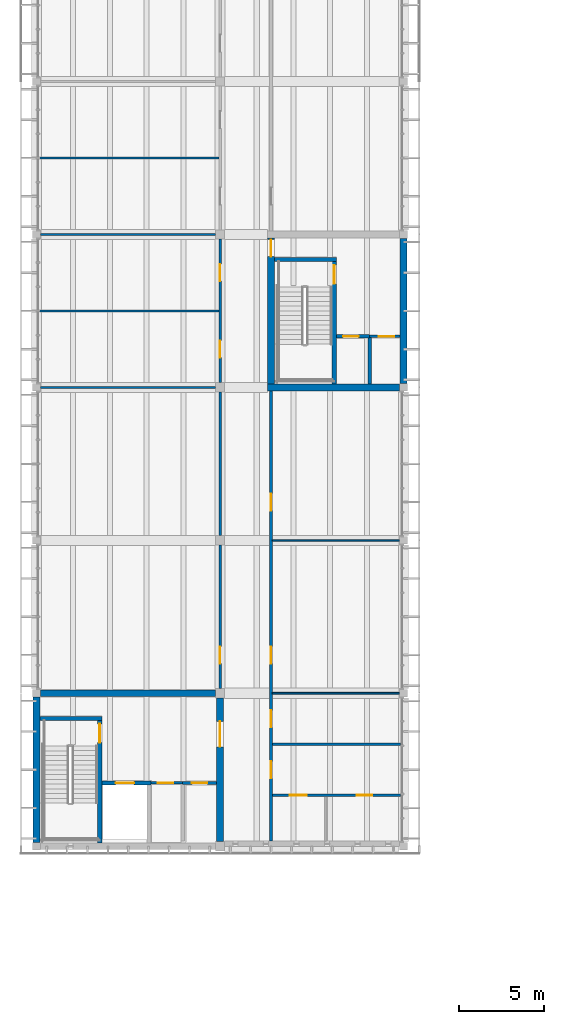
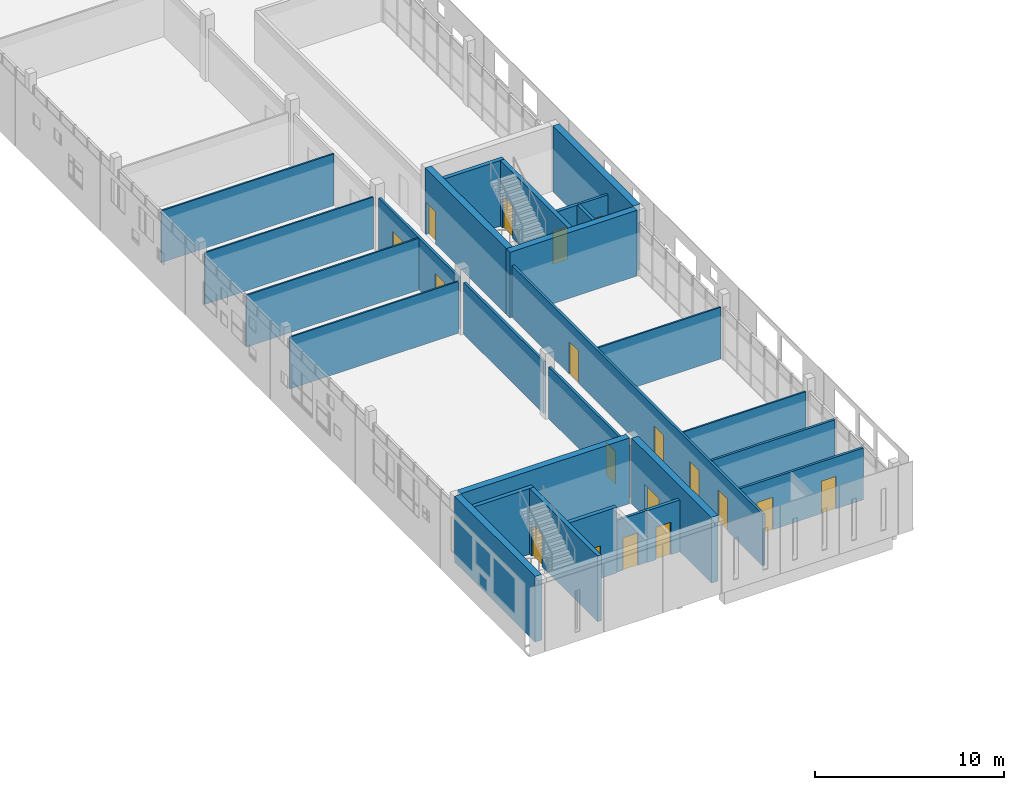
# One storey, part 32 of 50: 28 walls, 18 doors, 18 openings.
"""IFC4 building model written with IfcOpenShell, lengths in metres."""

import ifcopenshell
import ifcopenshell.guid

model = None  # the IFC model being written
_history = None  # IfcOwnerHistory: only IFC2X3 demands one
_inside = {}  # id of a spatial element -> (the spatial element, [elements in it])
_under = {}  # id of a project, library or spatial element -> (it, [spatial elements below it])
_declared = {}  # id of a project -> (the project, [libraries it declares])
_typed = {}  # id of a type object -> (the type object, [elements of that type])
_made_of = {}  # id of a material, layer set ... -> (it, [elements and type objects made of it])


def new_model(schema):
    """Start an empty IFC model of exactly this schema.

    Asked for "IFC4X3", IfcOpenShell would pick the latest addendum, in which some entities
    have other attributes; the version numbers below select the first issue.
    IFC2X3 requires an IfcOwnerHistory on every rooted entity: one is made here for all.
    """
    global model, _history
    if schema == "IFC4X3":
        model = ifcopenshell.file(schema_version=(4, 3, 0, 0))
    else:
        model = ifcopenshell.file(schema=schema)
    _inside.clear()
    _under.clear()
    _declared.clear()
    _typed.clear()
    _made_of.clear()
    _history = None
    if model.schema == "IFC2X3":
        org = make("IfcOrganization", Name="unknown")
        user = make(
            "IfcPersonAndOrganization",
            ThePerson=make("IfcPerson", FamilyName="unknown"),
            TheOrganization=org,
        )
        app = make(
            "IfcApplication",
            ApplicationDeveloper=org,
            Version="unknown",
            ApplicationFullName="unknown",
            ApplicationIdentifier="unknown",
        )
        _history = make(
            "IfcOwnerHistory",
            OwningUser=user,
            OwningApplication=app,
            ChangeAction="ADDED",
            CreationDate=0,
        )
    return model


def make(cls, **values):
    """One entity of the class cls with the attributes given. An attribute that is None is left unset."""
    return model.create_entity(
        cls, **{name: value for name, value in values.items() if value is not None}
    )


def rooted(cls, **values):
    """An entity with a GlobalId (a new one), such as an element, a storey or a relation."""
    return make(cls, GlobalId=ifcopenshell.guid.new(), OwnerHistory=_history, **values)


def si_unit(unit_type, name, prefix=None):
    """IfcSIUnit, for example si_unit("LENGTHUNIT", "METRE", prefix="MILLI")."""
    return make("IfcSIUnit", UnitType=unit_type, Prefix=prefix, Name=name)


def assignment(units):
    """IfcUnitAssignment: the units of a project."""
    return None if units is None else make("IfcUnitAssignment", Units=units)


def point(xyz):
    """IfcCartesianPoint."""
    return None if xyz is None else make("IfcCartesianPoint", Coordinates=xyz)


def direction(xyz):
    """IfcDirection."""
    return None if xyz is None else make("IfcDirection", DirectionRatios=xyz)


def frame(location, z_axis=None, x_axis=None):
    """IfcAxis2Placement3D, a coordinate frame: its origin and axes. An axis left out is left unset."""
    return make(
        "IfcAxis2Placement3D",
        Location=point(location),
        Axis=direction(z_axis),
        RefDirection=direction(x_axis),
    )


def frame_2d(location, x_axis=None):
    """IfcAxis2Placement2D, a coordinate frame in the plane: its origin and x axis."""
    return make(
        "IfcAxis2Placement2D", Location=point(location), RefDirection=direction(x_axis)
    )


def origin():
    """The frame at (0, 0, 0) with its axes left unset."""
    return frame((0.0, 0.0, 0.0))


def place(relative_to, where):
    """IfcLocalPlacement: puts the frame where relative to a parent placement (None: the world)."""
    return make(
        "IfcLocalPlacement", PlacementRelTo=relative_to, RelativePlacement=where
    )


def context(
    kind, dimensions, precision=None, world=None, true_north=None, identifier=None
):
    """IfcGeometricRepresentationContext, for example the 3D "Model" context."""
    return make(
        "IfcGeometricRepresentationContext",
        ContextIdentifier=identifier,
        ContextType=kind,
        CoordinateSpaceDimension=dimensions,
        Precision=precision,
        WorldCoordinateSystem=world,
        TrueNorth=true_north,
    )


def subcontext(parent, identifier, kind, view, scale=None):
    """IfcGeometricRepresentationSubContext, for example "Body" below "Model"."""
    return make(
        "IfcGeometricRepresentationSubContext",
        ContextIdentifier=identifier,
        ContextType=kind,
        ParentContext=parent,
        TargetScale=scale,
        TargetView=view,
    )


def project(units=None, contexts=None):
    """IfcProject with its units and contexts."""
    return rooted(
        "IfcProject",
        Name="project",
        RepresentationContexts=contexts,
        UnitsInContext=assignment(units),
    )


def spatial(cls, under=None, at=None, **own):
    """A site, building, storey or space (cls), placed at a placement, below another one or the project."""
    s = rooted(cls, ObjectPlacement=at, **own)
    if under is not None:
        _under.setdefault(under.id(), (under, []))[1].append(s)
    return s


def profile(cls, at=None, kind="AREA", **sizes):
    """A parametric profile (cls). Its sizes go by their IFC names, for example OverallWidth=200.0."""
    return make(cls, ProfileType=kind, Position=at, **sizes)


def rectangle(**sizes):
    """IfcRectangleProfileDef."""
    return profile("IfcRectangleProfileDef", **sizes)


def extrude(swept, where, along, depth):
    """IfcExtrudedAreaSolid: the profile swept, set in the frame where, extruded along a direction by depth."""
    return make(
        "IfcExtrudedAreaSolid",
        SweptArea=swept,
        Position=where,
        ExtrudedDirection=direction(along),
        Depth=depth,
    )


def shape(context_of_items, identifier, shape_type, items):
    """IfcShapeRepresentation: the items that make up one representation, for example the "Body"."""
    return make(
        "IfcShapeRepresentation",
        ContextOfItems=context_of_items,
        RepresentationIdentifier=identifier,
        RepresentationType=shape_type,
        Items=items,
    )


def material(Name=None, Category=None):
    """IfcMaterial."""
    return make("IfcMaterial", Name=Name, Category=Category)


def layer(
    of_material, thickness, ventilated=None, Name=None, Category=None, Priority=None
):
    """IfcMaterialLayer: one layer of a wall or slab, of a material (None: an air gap)."""
    return make(
        "IfcMaterialLayer",
        Material=of_material,
        LayerThickness=thickness,
        IsVentilated=ventilated,
        Name=Name,
        Category=Category,
        Priority=Priority,
    )


def layer_set(layers, Name=None):
    """IfcMaterialLayerSet."""
    return make("IfcMaterialLayerSet", MaterialLayers=layers, LayerSetName=Name)


def made_of(thing, what):
    """Note that an element or type object is made of a material, layer set ...; save() writes the relation."""
    if what is not None:
        _made_of.setdefault(what.id(), (what, []))[1].append(thing)
    return thing


def type_object(cls, material=None, **own):
    """A type object (cls), such as IfcWallType, which elements share."""
    return made_of(rooted(cls, **own), material)


def element(
    cls,
    number,
    at=None,
    inside=None,
    cuts=None,
    type_object=None,
    material=None,
    context=None,
    identifier="Body",
    shape_type=None,
    held_by="IfcProductDefinitionShape",
    body=None,
    shapes=None,
    **own,
):
    """One element of the class cls, such as IfcWall. Its Tag is "e" and its number.

    at: its placement. inside: the storey or other place that contains it. cuts: it is an
    opening in that element (IfcRelVoidsElement). A single representation is given by context,
    identifier, shape_type and body (its items); several are given by shapes. held_by: the class
    of the entity that holds the representations. save() writes the other relations.
    """
    e = rooted(cls, Tag="e%d" % number, ObjectPlacement=at, **own)
    if body is not None:
        shapes = [shape(context, identifier, shape_type, body)]
    if shapes is not None:
        e.Representation = make(held_by, Representations=shapes)
    if inside is not None:
        _inside.setdefault(inside.id(), (inside, []))[1].append(e)
    if cuts is not None:
        rooted(
            "IfcRelVoidsElement", RelatingBuildingElement=cuts, RelatedOpeningElement=e
        )
    if type_object is not None:
        _typed.setdefault(type_object.id(), (type_object, []))[1].append(e)
    return made_of(e, material)


def fill(opening, filler):
    """IfcRelFillsElement: the door or window that sits in an opening."""
    return rooted(
        "IfcRelFillsElement",
        RelatingOpeningElement=opening,
        RelatedBuildingElement=filler,
    )


def aggregate(whole, parts):
    """IfcRelAggregates: a whole, such as a stair, and the parts it consists of."""
    return rooted("IfcRelAggregates", RelatingObject=whole, RelatedObjects=parts)


def save(model, path):
    """Write the relations noted so far, then the file.

    IfcRelAggregates (storeys below a building ...), IfcRelContainedInSpatialStructure (elements
    in a storey), IfcRelDefinesByType, IfcRelAssociatesMaterial and IfcRelDeclares: one each for
    every whole, place, type object, material and project.
    """
    for whole, parts in _under.values():
        aggregate(whole, parts)
    for where, things in _inside.values():
        rooted(
            "IfcRelContainedInSpatialStructure",
            RelatedElements=things,
            RelatingStructure=where,
        )
    for kind, things in _typed.values():
        rooted("IfcRelDefinesByType", RelatedObjects=things, RelatingType=kind)
    for what, things in _made_of.values():
        rooted("IfcRelAssociatesMaterial", RelatedObjects=things, RelatingMaterial=what)
    for by, libraries in _declared.values():
        rooted("IfcRelDeclares", RelatingContext=by, RelatedDefinitions=libraries)
    model.write(path)


model = new_model("IFC4")

# Units and contexts
model_context = context("Model", 3, precision=1e-05, world=origin(), true_north=direction((0.0, 1.0)))
body_context = subcontext(model_context, "Body", "Model", "MODEL_VIEW")
ifc_project = project(units=[si_unit("LENGTHUNIT", "METRE"), si_unit("AREAUNIT", "SQUARE_METRE"), si_unit("VOLUMEUNIT", "CUBIC_METRE"), si_unit("PLANEANGLEUNIT", "RADIAN"), si_unit("MASSUNIT", "GRAM", prefix="KILO")], contexts=[model_context])

# Site, building, storey
site_placement = place(None, origin())
site = spatial("IfcSite", under=ifc_project, at=site_placement, CompositionType="ELEMENT")
building_placement = place(site_placement, origin())
building = spatial("IfcBuilding", under=site, at=building_placement, Name="Merrow Basin Faculty of Sciences", CompositionType="ELEMENT")
storey_placement = place(building_placement, frame((0.0, 0.0, 18.0)))
storey = spatial("IfcBuildingStorey", under=building, at=storey_placement, Name="L04", CompositionType="ELEMENT", Elevation=18.0)

# Wall, opening, door
ifc_material_1 = material(Name="Fire-rated gypsum board")
ifc_layer_1 = layer(ifc_material_1, 0.14990234375)
ifc_layer_set_1 = layer_set([ifc_layer_1], Name="Corridor partition 150 fire-rated board on steel studs")
wall_type_1 = type_object("IfcWallType", Name="Corridor partition 150 fire-rated board on steel studs", PredefinedType="PARTITIONING", material=ifc_layer_set_1)
wall_1_placement = place(storey_placement, frame((10.800048828125, 70.27490234375, 0.0), z_axis=(0.0, 0.0, 1.0), x_axis=(0.0, 1.0, 0.0)))
wall_1 = element("IfcWall", 1, at=wall_1_placement, inside=storey, type_object=wall_type_1, Name="IW151 L04 008", PredefinedType="PARTITIONING", context=body_context, shape_type="SweptSolid", body=[
    extrude(rectangle(XDim=8.4501953125, YDim=0.14990234375, at=frame_2d((4.22509765625, 0.0))), origin(), (0.0, 0.0, 1.0), 3.35009765625),
])
opening_1_placement = place(wall_1_placement, frame((1.47509765625, 0.0, 0.0)))
opening_1 = element("IfcOpeningElement", 2, at=opening_1_placement, cuts=wall_1, Name="Opening D04B015", PredefinedType="OPENING", context=body_context, shape_type="SweptSolid", body=[
    extrude(rectangle(XDim=1.0, YDim=2.10009765625, at=frame_2d((0.5, 1.050048828125))), frame((0.0, 0.0849609375, 0.0), z_axis=(0.0, -1.0, 0.0), x_axis=(1.0, 0.0, 0.0)), (0.0, 0.0, 1.0), 0.169921875),
])
ifc_material_2 = material(Name="Timber door leaf", Category="wood")
door_type_1 = type_object("IfcDoorType", Name="Single swing door 1000 x 2100", OperationType="NOTDEFINED", PredefinedType="DOOR", material=ifc_material_2)
door_1_placement = place(opening_1_placement, origin())
door_1 = element("IfcDoor", 3, at=door_1_placement, inside=storey, type_object=door_type_1, Name="Door D04B015", OperationType="SINGLE_SWING_LEFT", OverallHeight=2.10009765625, OverallWidth=1.0, PredefinedType="DOOR", context=body_context, shape_type="SweptSolid", body=[
    extrude(rectangle(XDim=1.0, YDim=2.10009765625, at=frame_2d((0.5, 1.050048828125))), frame((0.0, 0.02490234375, 0.0), z_axis=(0.0, -1.0, 0.0), x_axis=(1.0, 0.0, 0.0)), (0.0, 0.0, 1.0), 0.050048828125),
])
fill(opening_1, door_1)

# Wall
wall_2_placement = place(storey_placement, frame((10.800048828125, 79.27490234375, 0.0), z_axis=(0.0, 0.0, 1.0), x_axis=(0.0, 1.0, 0.0)))
element("IfcWall", 4, at=wall_2_placement, inside=storey, type_object=wall_type_1, Name="IW151 L04 009", PredefinedType="PARTITIONING", context=body_context, shape_type="SweptSolid", body=[
    extrude(rectangle(XDim=8.4501953125, YDim=0.14990234375, at=frame_2d((4.22509765625, 0.0))), origin(), (0.0, 0.0, 1.0), 3.35009765625),
])

# Wall, openings, doors
wall_3_placement = place(storey_placement, frame((10.800048828125, 88.27490234375, 0.0), z_axis=(0.0, 0.0, 1.0), x_axis=(0.0, 1.0, 0.0)))
wall_3 = element("IfcWall", 5, at=wall_3_placement, inside=storey, type_object=wall_type_1, Name="IW151 L04 010", PredefinedType="PARTITIONING", context=body_context, shape_type="SweptSolid", body=[
    extrude(rectangle(XDim=8.4501953125, YDim=0.14990234375, at=frame_2d((4.22509765625, 0.0))), origin(), (0.0, 0.0, 1.0), 3.35009765625),
])
opening_2_placement = place(wall_3_placement, frame((1.47509765625, 0.0, 0.0)))
opening_2 = element("IfcOpeningElement", 6, at=opening_2_placement, cuts=wall_3, Name="Opening D04B016", PredefinedType="OPENING", context=body_context, shape_type="SweptSolid", body=[
    extrude(rectangle(XDim=1.0, YDim=2.10009765625, at=frame_2d((0.5, 1.050048828125))), frame((0.0, 0.0849609375, 0.0), z_axis=(0.0, -1.0, 0.0), x_axis=(1.0, 0.0, 0.0)), (0.0, 0.0, 1.0), 0.169921875),
])
opening_3_placement = place(wall_3_placement, frame((5.97509765625, 0.0, 0.0)))
opening_3 = element("IfcOpeningElement", 7, at=opening_3_placement, cuts=wall_3, Name="Opening D04B017", PredefinedType="OPENING", context=body_context, shape_type="SweptSolid", body=[
    extrude(rectangle(XDim=1.0, YDim=2.10009765625, at=frame_2d((0.5, 1.050048828125))), frame((0.0, 0.0849609375, 0.0), z_axis=(0.0, -1.0, 0.0), x_axis=(1.0, 0.0, 0.0)), (0.0, 0.0, 1.0), 0.169921875),
])
door_2_placement = place(opening_2_placement, origin())
door_2 = element("IfcDoor", 8, at=door_2_placement, inside=storey, type_object=door_type_1, Name="Door D04B016", OperationType="SINGLE_SWING_LEFT", OverallHeight=2.10009765625, OverallWidth=1.0, PredefinedType="DOOR", context=body_context, shape_type="SweptSolid", body=[
    extrude(rectangle(XDim=1.0, YDim=2.10009765625, at=frame_2d((0.5, 1.050048828125))), frame((0.0, 0.02490234375, 0.0), z_axis=(0.0, -1.0, 0.0), x_axis=(1.0, 0.0, 0.0)), (0.0, 0.0, 1.0), 0.050048828125),
])
fill(opening_2, door_2)
door_3_placement = place(opening_3_placement, origin())
door_3 = element("IfcDoor", 9, at=door_3_placement, inside=storey, type_object=door_type_1, Name="Door D04B017", OperationType="SINGLE_SWING_LEFT", OverallHeight=2.10009765625, OverallWidth=1.0, PredefinedType="DOOR", context=body_context, shape_type="SweptSolid", body=[
    extrude(rectangle(XDim=1.0, YDim=2.10009765625, at=frame_2d((0.5, 1.050048828125))), frame((0.0, 0.02490234375, 0.0), z_axis=(0.0, -1.0, 0.0), x_axis=(1.0, 0.0, 0.0)), (0.0, 0.0, 1.0), 0.050048828125),
])
fill(opening_3, door_3)

wall_4_placement = place(storey_placement, frame((13.800048828125, 61.300048828125, 0.0), z_axis=(0.0, 0.0, 1.0), x_axis=(0.0, 1.0, 0.0)))
wall_4 = element("IfcWall", 10, at=wall_4_placement, inside=storey, type_object=wall_type_1, Name="IW151 L04 014", PredefinedType="PARTITIONING", context=body_context, shape_type="SweptSolid", body=[
    extrude(rectangle(XDim=26.5, YDim=0.14990234375, at=frame_2d((13.25, 0.0))), origin(), (0.0, 0.0, 1.0), 3.35009765625),
])
opening_4_placement = place(wall_4_placement, frame((3.699951171875, 0.0, 0.0)))
opening_4 = element("IfcOpeningElement", 11, at=opening_4_placement, cuts=wall_4, Name="Opening D04B014", PredefinedType="OPENING", context=body_context, shape_type="SweptSolid", body=[
    extrude(rectangle(XDim=1.0, YDim=2.10009765625, at=frame_2d((0.5, 1.050048828125))), frame((0.0, 0.0849609375, 0.0), z_axis=(0.0, -1.0, 0.0), x_axis=(1.0, 0.0, 0.0)), (0.0, 0.0, 1.0), 0.169921875),
])
opening_5_placement = place(wall_4_placement, frame((10.449951171875, 0.0, 0.0)))
opening_5 = element("IfcOpeningElement", 12, at=opening_5_placement, cuts=wall_4, Name="Opening D04B022", PredefinedType="OPENING", context=body_context, shape_type="SweptSolid", body=[
    extrude(rectangle(XDim=1.0, YDim=2.10009765625, at=frame_2d((0.5, 1.050048828125))), frame((0.0, 0.0849609375, 0.0), z_axis=(0.0, -1.0, 0.0), x_axis=(1.0, 0.0, 0.0)), (0.0, 0.0, 1.0), 0.169921875),
])
opening_6_placement = place(wall_4_placement, frame((19.449951171875, 0.0, 0.0)))
opening_6 = element("IfcOpeningElement", 13, at=opening_6_placement, cuts=wall_4, Name="Opening D04B023", PredefinedType="OPENING", context=body_context, shape_type="SweptSolid", body=[
    extrude(rectangle(XDim=1.0, YDim=2.10009765625, at=frame_2d((0.5, 1.050048828125))), frame((0.0, 0.0849609375, 0.0), z_axis=(0.0, -1.0, 0.0), x_axis=(1.0, 0.0, 0.0)), (0.0, 0.0, 1.0), 0.169921875),
])
opening_7_placement = place(wall_4_placement, frame((6.699951171875, 0.0, 0.0)))
opening_7 = element("IfcOpeningElement", 14, at=opening_7_placement, cuts=wall_4, Name="Opening D04B025", PredefinedType="OPENING", context=body_context, shape_type="SweptSolid", body=[
    extrude(rectangle(XDim=1.0, YDim=2.10009765625, at=frame_2d((0.5, 1.050048828125))), frame((0.0, 0.0849609375, 0.0), z_axis=(0.0, -1.0, 0.0), x_axis=(1.0, 0.0, 0.0)), (0.0, 0.0, 1.0), 0.169921875),
])
door_4_placement = place(opening_4_placement, origin())
door_4 = element("IfcDoor", 15, at=door_4_placement, inside=storey, type_object=door_type_1, Name="Door D04B014", OperationType="SINGLE_SWING_LEFT", OverallHeight=2.10009765625, OverallWidth=1.0, PredefinedType="DOOR", context=body_context, shape_type="SweptSolid", body=[
    extrude(rectangle(XDim=1.0, YDim=2.10009765625, at=frame_2d((0.5, 1.050048828125))), frame((0.0, 0.02490234375, 0.0), z_axis=(0.0, -1.0, 0.0), x_axis=(1.0, 0.0, 0.0)), (0.0, 0.0, 1.0), 0.050048828125),
])
fill(opening_4, door_4)
door_5_placement = place(opening_5_placement, origin())
door_5 = element("IfcDoor", 16, at=door_5_placement, inside=storey, type_object=door_type_1, Name="Door D04B022", OperationType="SINGLE_SWING_LEFT", OverallHeight=2.10009765625, OverallWidth=1.0, PredefinedType="DOOR", context=body_context, shape_type="SweptSolid", body=[
    extrude(rectangle(XDim=1.0, YDim=2.10009765625, at=frame_2d((0.5, 1.050048828125))), frame((0.0, 0.02490234375, 0.0), z_axis=(0.0, -1.0, 0.0), x_axis=(1.0, 0.0, 0.0)), (0.0, 0.0, 1.0), 0.050048828125),
])
fill(opening_5, door_5)
door_6_placement = place(opening_6_placement, origin())
door_6 = element("IfcDoor", 17, at=door_6_placement, inside=storey, type_object=door_type_1, Name="Door D04B023", OperationType="SINGLE_SWING_LEFT", OverallHeight=2.10009765625, OverallWidth=1.0, PredefinedType="DOOR", context=body_context, shape_type="SweptSolid", body=[
    extrude(rectangle(XDim=1.0, YDim=2.10009765625, at=frame_2d((0.5, 1.050048828125))), frame((0.0, 0.02490234375, 0.0), z_axis=(0.0, -1.0, 0.0), x_axis=(1.0, 0.0, 0.0)), (0.0, 0.0, 1.0), 0.050048828125),
])
fill(opening_6, door_6)
door_7_placement = place(opening_7_placement, origin())
door_7 = element("IfcDoor", 18, at=door_7_placement, inside=storey, type_object=door_type_1, Name="Door D04B025", OperationType="SINGLE_SWING_LEFT", OverallHeight=2.10009765625, OverallWidth=1.0, PredefinedType="DOOR", context=body_context, shape_type="SweptSolid", body=[
    extrude(rectangle(XDim=1.0, YDim=2.10009765625, at=frame_2d((0.5, 1.050048828125))), frame((0.0, 0.02490234375, 0.0), z_axis=(0.0, -1.0, 0.0), x_axis=(1.0, 0.0, 0.0)), (0.0, 0.0, 1.0), 0.050048828125),
])
fill(opening_7, door_7)

wall_5_placement = place(storey_placement, frame((13.875, 64.0, 0.0), z_axis=(0.0, 0.0, 1.0), x_axis=(1.0, 0.0, 0.0)))
wall_5 = element("IfcWall", 19, at=wall_5_placement, inside=storey, type_object=wall_type_1, Name="IW151 L04 015", PredefinedType="PARTITIONING", context=body_context, shape_type="SweptSolid", body=[
    extrude(rectangle(XDim=7.544921875, YDim=0.14990234375, at=frame_2d((3.7724609375, 0.0))), origin(), (0.0, 0.0, 1.0), 3.35009765625),
])
opening_8_placement = place(wall_5_placement, frame((1.02490234375, 0.0, 0.0)))
opening_8 = element("IfcOpeningElement", 20, at=opening_8_placement, cuts=wall_5, Name="Opening D04B012", PredefinedType="OPENING", context=body_context, shape_type="SweptSolid", body=[
    extrude(rectangle(XDim=1.0, YDim=2.10009765625, at=frame_2d((0.5, 1.050048828125))), frame((0.0, 0.0849609375, 0.0), z_axis=(0.0, -1.0, 0.0), x_axis=(1.0, 0.0, 0.0)), (0.0, 0.0, 1.0), 0.169921875),
])
opening_9_placement = place(wall_5_placement, frame((4.97509765625, 0.0, 0.0)))
opening_9 = element("IfcOpeningElement", 21, at=opening_9_placement, cuts=wall_5, Name="Opening D04B013", PredefinedType="OPENING", context=body_context, shape_type="SweptSolid", body=[
    extrude(rectangle(XDim=0.89990234375, YDim=2.10009765625, at=frame_2d((0.449951171875, 1.050048828125))), frame((0.0, 0.0849609375, 0.0), z_axis=(0.0, -1.0, 0.0), x_axis=(1.0, 0.0, 0.0)), (0.0, 0.0, 1.0), 0.169921875),
])
ifc_material_3 = material(Name="Timber door leaf", Category="wood")
door_type_2 = type_object("IfcDoorType", Name="Accessible door 1000 x 2100", OperationType="NOTDEFINED", PredefinedType="DOOR", material=ifc_material_3)
door_8_placement = place(opening_8_placement, origin())
door_8 = element("IfcDoor", 22, at=door_8_placement, inside=storey, type_object=door_type_2, Name="Door D04B012", OperationType="SINGLE_SWING_LEFT", OverallHeight=2.10009765625, OverallWidth=1.0, PredefinedType="DOOR", context=body_context, shape_type="SweptSolid", body=[
    extrude(rectangle(XDim=1.0, YDim=2.10009765625, at=frame_2d((0.5, 1.050048828125))), frame((0.0, 0.02490234375, 0.0), z_axis=(0.0, -1.0, 0.0), x_axis=(1.0, 0.0, 0.0)), (0.0, 0.0, 1.0), 0.050048828125),
])
fill(opening_8, door_8)
ifc_material_4 = material(Name="Timber door leaf", Category="wood")
door_type_3 = type_object("IfcDoorType", Name="Single swing door 900 x 2100", OperationType="NOTDEFINED", PredefinedType="DOOR", material=ifc_material_4)
door_9_placement = place(opening_9_placement, origin())
door_9 = element("IfcDoor", 23, at=door_9_placement, inside=storey, type_object=door_type_3, Name="Door D04B013", OperationType="SINGLE_SWING_LEFT", OverallHeight=2.10009765625, OverallWidth=0.89990234375, PredefinedType="DOOR", context=body_context, shape_type="SweptSolid", body=[
    extrude(rectangle(XDim=0.89990234375, YDim=2.10009765625, at=frame_2d((0.449951171875, 1.050048828125))), frame((0.0, 0.02490234375, 0.0), z_axis=(0.0, -1.0, 0.0), x_axis=(1.0, 0.0, 0.0)), (0.0, 0.0, 1.0), 0.050048828125),
])
fill(opening_9, door_9)

# Wall, opening, door
wall_6_placement = place(storey_placement, frame((6.75, 64.72509765625, 0.0), z_axis=(0.0, 0.0, 1.0), x_axis=(1.0, 0.0, 0.0)))
wall_6 = element("IfcWall", 24, at=wall_6_placement, inside=storey, type_object=wall_type_1, Name="IW151 L04 016", PredefinedType="PARTITIONING", context=body_context, shape_type="SweptSolid", body=[
    extrude(rectangle(XDim=1.85009765625, YDim=0.14990234375, at=frame_2d((0.925048828125, 0.0))), origin(), (0.0, 0.0, 1.0), 3.35009765625),
])
opening_10_placement = place(wall_6_placement, frame((0.39990234375, 0.0, 0.0)))
opening_10 = element("IfcOpeningElement", 25, at=opening_10_placement, cuts=wall_6, Name="Opening D04B002", PredefinedType="OPENING", context=body_context, shape_type="SweptSolid", body=[
    extrude(rectangle(XDim=0.89990234375, YDim=2.10009765625, at=frame_2d((0.449951171875, 1.050048828125))), frame((0.0, 0.0849609375, 0.0), z_axis=(0.0, -1.0, 0.0), x_axis=(1.0, 0.0, 0.0)), (0.0, 0.0, 1.0), 0.169921875),
])
ifc_material_5 = material(Name="Fire-rated steel door", Category="steel")
door_type_4 = type_object("IfcDoorType", Name="Fire door FD60 900 x 2100", OperationType="NOTDEFINED", PredefinedType="DOOR", material=ifc_material_5)
door_10_placement = place(opening_10_placement, origin())
door_10 = element("IfcDoor", 26, at=door_10_placement, inside=storey, type_object=door_type_4, Name="Door D04B002", OperationType="SINGLE_SWING_LEFT", OverallHeight=2.10009765625, OverallWidth=0.89990234375, PredefinedType="DOOR", context=body_context, shape_type="SweptSolid", body=[
    extrude(rectangle(XDim=0.89990234375, YDim=2.10009765625, at=frame_2d((0.449951171875, 1.050048828125))), frame((0.0, 0.02490234375, 0.0), z_axis=(0.0, -1.0, 0.0), x_axis=(1.0, 0.0, 0.0)), (0.0, 0.0, 1.0), 0.050048828125),
])
fill(opening_10, door_10)

# Wall
wall_7_placement = place(storey_placement, frame((13.875, 67.0, 0.0), z_axis=(0.0, 0.0, 1.0), x_axis=(1.0, 0.0, 0.0)))
element("IfcWall", 27, at=wall_7_placement, inside=storey, type_object=wall_type_1, Name="IW151 L04 017", PredefinedType="PARTITIONING", context=body_context, shape_type="SweptSolid", body=[
    extrude(rectangle(XDim=7.544921875, YDim=0.14990234375, at=frame_2d((3.7724609375, 0.0))), origin(), (0.0, 0.0, 1.0), 3.35009765625),
])

# Wall, opening, door
wall_8_placement = place(storey_placement, frame((19.60009765625, 91.0, 0.0), z_axis=(0.0, 0.0, 1.0), x_axis=(1.0, 0.0, 0.0)))
wall_8 = element("IfcWall", 28, at=wall_8_placement, inside=storey, type_object=wall_type_1, Name="IW151 L04 018", PredefinedType="PARTITIONING", context=body_context, shape_type="SweptSolid", body=[
    extrude(rectangle(XDim=1.7998046875, YDim=0.14990234375, at=frame_2d((0.89990234375, 0.0))), origin(), (0.0, 0.0, 1.0), 3.35009765625),
])
opening_11_placement = place(wall_8_placement, frame((0.550048828125, 0.0, 0.0)))
opening_11 = element("IfcOpeningElement", 29, at=opening_11_placement, cuts=wall_8, Name="Opening D04B008", PredefinedType="OPENING", context=body_context, shape_type="SweptSolid", body=[
    extrude(rectangle(XDim=0.89990234375, YDim=2.10009765625, at=frame_2d((0.449951171875, 1.050048828125))), frame((0.0, 0.0849609375, 0.0), z_axis=(0.0, -1.0, 0.0), x_axis=(1.0, 0.0, 0.0)), (0.0, 0.0, 1.0), 0.169921875),
])
door_11_placement = place(opening_11_placement, origin())
door_11 = element("IfcDoor", 30, at=door_11_placement, inside=storey, type_object=door_type_4, Name="Door D04B008", OperationType="SINGLE_SWING_RIGHT", OverallHeight=2.10009765625, OverallWidth=0.89990234375, PredefinedType="DOOR", context=body_context, shape_type="SweptSolid", body=[
    extrude(rectangle(XDim=0.89990234375, YDim=2.10009765625, at=frame_2d((0.449951171875, 1.050048828125))), frame((0.0, 0.02490234375, 0.0), z_axis=(0.0, -1.0, 0.0), x_axis=(1.0, 0.0, 0.0)), (0.0, 0.0, 1.0), 0.050048828125),
])
fill(opening_11, door_11)

# Walls
ifc_material_6 = material(Name="Gypsum board")
ifc_layer_2 = layer(ifc_material_6, 0.10009765625)
ifc_layer_set_2 = layer_set([ifc_layer_2], Name="Partition 100 gypsum board on steel studs")
wall_type_2 = type_object("IfcWallType", Name="Partition 100 gypsum board on steel studs", PredefinedType="PARTITIONING", material=ifc_layer_set_2)
for number, where, z_axis, x_axis, name in (
    (31, (13.875, 70.0, 0.0), (0.0, 0.0, 1.0), (1.0, 0.0, 0.0), "IW100 L04 020"),
    (32, (13.875, 79.0, 0.0), (0.0, 0.0, 1.0), (1.0, 0.0, 0.0), "IW100 L04 021"),
):
    element("IfcWall", number, at=place(storey_placement, frame(where, z_axis=z_axis, x_axis=x_axis)), inside=storey, type_object=wall_type_2, Name=name, PredefinedType="PARTITIONING", context=body_context, shape_type="SweptSolid", body=[
        extrude(rectangle(XDim=7.5, YDim=0.10009765625, at=frame_2d((3.75, 0.0))), origin(), (0.0, 0.0, 1.0), 3.35009765625),
    ])
wall_9_placement = place(storey_placement, frame((0.22509765625, 88.0, 0.0), z_axis=(0.0, 0.0, 1.0), x_axis=(1.0, 0.0, 0.0)))
element("IfcWall", 33, at=wall_9_placement, inside=storey, type_object=wall_type_2, Name="IW100 L04 022", PredefinedType="PARTITIONING", context=body_context, shape_type="SweptSolid", body=[
    extrude(rectangle(XDim=10.2998046875, YDim=0.10009765625, at=frame_2d((5.14990234375, 0.0))), origin(), (0.0, 0.0, 1.0), 3.35009765625),
])
wall_10_placement = place(storey_placement, frame((0.179931640625, 92.5, 0.0), z_axis=(0.0, 0.0, 1.0), x_axis=(1.0, 0.0, 0.0)))
element("IfcWall", 34, at=wall_10_placement, inside=storey, type_object=wall_type_2, Name="IW100 L04 023", PredefinedType="PARTITIONING", context=body_context, shape_type="SweptSolid", body=[
    extrude(rectangle(XDim=10.545166015625, YDim=0.10009765625, at=frame_2d((5.2724609375, 0.0))), origin(), (0.0, 0.0, 1.0), 3.35009765625),
])
wall_11_placement = place(storey_placement, frame((0.22509765625, 97.0, 0.0), z_axis=(0.0, 0.0, 1.0), x_axis=(1.0, 0.0, 0.0)))
element("IfcWall", 35, at=wall_11_placement, inside=storey, type_object=wall_type_2, Name="IW100 L04 024", PredefinedType="PARTITIONING", context=body_context, shape_type="SweptSolid", body=[
    extrude(rectangle(XDim=10.2998046875, YDim=0.10009765625, at=frame_2d((5.14990234375, 0.0))), origin(), (0.0, 0.0, 1.0), 3.35009765625),
])
wall_12_placement = place(storey_placement, frame((0.179931640625, 101.5, 0.0), z_axis=(0.0, 0.0, 1.0), x_axis=(1.0, 0.0, 0.0)))
element("IfcWall", 36, at=wall_12_placement, inside=storey, type_object=wall_type_2, Name="IW100 L04 025", PredefinedType="PARTITIONING", context=body_context, shape_type="SweptSolid", body=[
    extrude(rectangle(XDim=10.545166015625, YDim=0.10009765625, at=frame_2d((5.2724609375, 0.0))), origin(), (0.0, 0.0, 1.0), 3.35009765625),
])
ifc_material_7 = material(Name="Fire-rated gypsum board")
ifc_layer_3 = layer(ifc_material_7, 0.199951171875)
ifc_layer_set_3 = layer_set([ifc_layer_3], Name="Riser lining 200 fire-rated board on steel studs")
wall_type_3 = type_object("IfcWallType", Name="Riser lining 200 fire-rated board on steel studs", PredefinedType="PARTITIONING", material=ifc_layer_set_3)
wall_13_placement = place(storey_placement, frame((19.60009765625, 88.199951171875, 0.0), z_axis=(0.0, 0.0, 1.0), x_axis=(0.0, 1.0, 0.0)))
element("IfcWall", 37, at=wall_13_placement, inside=storey, type_object=wall_type_3, Name="IW200 L04 002", PredefinedType="PARTITIONING", context=body_context, shape_type="SweptSolid", body=[
    extrude(rectangle(XDim=2.800048828125, YDim=0.199951171875, at=frame_2d((1.39990234375, 0.0))), origin(), (0.0, 0.0, 1.0), 3.35009765625),
])

# Wall, opening, door
wall_14_placement = place(storey_placement, frame((8.60009765625, 64.72509765625, 0.0), z_axis=(0.0, 0.0, 1.0), x_axis=(1.0, 0.0, 0.0)))
wall_14 = element("IfcWall", 38, at=wall_14_placement, inside=storey, type_object=wall_type_3, Name="IW200 L04 003", PredefinedType="PARTITIONING", context=body_context, shape_type="SweptSolid", body=[
    extrude(rectangle(XDim=2.0, YDim=0.199951171875, at=frame_2d((1.0, 0.0))), origin(), (0.0, 0.0, 1.0), 3.35009765625),
])
opening_12_placement = place(wall_14_placement, frame((0.550048828125, 0.0, 0.0)))
opening_12 = element("IfcOpeningElement", 39, at=opening_12_placement, cuts=wall_14, Name="Opening D04B003", PredefinedType="OPENING", context=body_context, shape_type="SweptSolid", body=[
    extrude(rectangle(XDim=0.89990234375, YDim=2.10009765625, at=frame_2d((0.449951171875, 1.050048828125))), frame((0.0, 0.10986328125, 0.0), z_axis=(0.0, -1.0, 0.0), x_axis=(1.0, 0.0, 0.0)), (0.0, 0.0, 1.0), 0.219970703125),
])
door_12_placement = place(opening_12_placement, origin())
door_12 = element("IfcDoor", 40, at=door_12_placement, inside=storey, type_object=door_type_4, Name="Door D04B003", OperationType="SINGLE_SWING_LEFT", OverallHeight=2.10009765625, OverallWidth=0.89990234375, PredefinedType="DOOR", context=body_context, shape_type="SweptSolid", body=[
    extrude(rectangle(XDim=0.89990234375, YDim=2.10009765625, at=frame_2d((0.449951171875, 1.050048828125))), frame((0.0, 0.02490234375, 0.0), z_axis=(0.0, -1.0, 0.0), x_axis=(1.0, 0.0, 0.0)), (0.0, 0.0, 1.0), 0.050048828125),
])
fill(opening_12, door_12)

wall_15_placement = place(storey_placement, frame((17.64990234375, 91.0, 0.0), z_axis=(0.0, 0.0, 1.0), x_axis=(1.0, 0.0, 0.0)))
wall_15 = element("IfcWall", 41, at=wall_15_placement, inside=storey, type_object=wall_type_3, Name="IW200 L04 004", PredefinedType="PARTITIONING", context=body_context, shape_type="SweptSolid", body=[
    extrude(rectangle(XDim=1.9501953125, YDim=0.199951171875, at=frame_2d((0.97509765625, 0.0))), origin(), (0.0, 0.0, 1.0), 3.35009765625),
])
opening_13_placement = place(wall_15_placement, frame((0.39990234375, 0.0, 0.0)))
opening_13 = element("IfcOpeningElement", 42, at=opening_13_placement, cuts=wall_15, Name="Opening D04B007", PredefinedType="OPENING", context=body_context, shape_type="SweptSolid", body=[
    extrude(rectangle(XDim=0.89990234375, YDim=2.10009765625, at=frame_2d((0.449951171875, 1.050048828125))), frame((0.0, 0.10986328125, 0.0), z_axis=(0.0, -1.0, 0.0), x_axis=(1.0, 0.0, 0.0)), (0.0, 0.0, 1.0), 0.219970703125),
])
door_13_placement = place(opening_13_placement, origin())
door_13 = element("IfcDoor", 43, at=door_13_placement, inside=storey, type_object=door_type_4, Name="Door D04B007", OperationType="SINGLE_SWING_LEFT", OverallHeight=2.10009765625, OverallWidth=0.89990234375, PredefinedType="DOOR", context=body_context, shape_type="SweptSolid", body=[
    extrude(rectangle(XDim=0.89990234375, YDim=2.10009765625, at=frame_2d((0.449951171875, 1.050048828125))), frame((0.0, 0.02490234375, 0.0), z_axis=(0.0, -1.0, 0.0), x_axis=(1.0, 0.0, 0.0)), (0.0, 0.0, 1.0), 0.050048828125),
])
fill(opening_13, door_13)

# Wall
ifc_material_8 = material(Name="Concrete C40/50", Category="concrete")
ifc_layer_4 = layer(ifc_material_8, 0.25)
ifc_layer_set_4 = layer_set([ifc_layer_4], Name="Shear wall 250 Concrete C40/50")
wall_type_4 = type_object("IfcWallType", Name="Shear wall 250 Concrete C40/50", PredefinedType="SHEAR", material=ifc_layer_set_4)
wall_16_placement = place(storey_placement, frame((0.199951171875, 68.52490234375, 0.0), z_axis=(0.0, 0.0, 1.0), x_axis=(1.0, 0.0, 0.0)))
element("IfcWall", 44, at=wall_16_placement, inside=storey, type_object=wall_type_4, Name="SW2 L04 005", PredefinedType="SHEAR", context=body_context, shape_type="SweptSolid", body=[
    extrude(rectangle(XDim=3.650146484375, YDim=0.25, at=frame_2d((1.8251953125, 0.0))), origin(), (0.0, 0.0, 1.0), 4.25),
])

# Wall, opening, door
wall_17_placement = place(storey_placement, frame((3.72509765625, 61.199951171875, 0.0), z_axis=(0.0, 0.0, 1.0), x_axis=(0.0, 1.0, 0.0)))
wall_17 = element("IfcWall", 45, at=wall_17_placement, inside=storey, type_object=wall_type_4, Name="SW2 L04 006", PredefinedType="SHEAR", context=body_context, shape_type="SweptSolid", body=[
    extrude(rectangle(XDim=7.199951171875, YDim=0.25, at=frame_2d((3.60009765625, 0.0))), origin(), (0.0, 0.0, 1.0), 4.25),
])
opening_14_placement = place(wall_17_placement, frame((5.89990234375, 0.0, 0.0)))
opening_14 = element("IfcOpeningElement", 46, at=opening_14_placement, cuts=wall_17, Name="Opening D04B001", PredefinedType="OPENING", context=body_context, shape_type="SweptSolid", body=[
    extrude(rectangle(XDim=1.10009765625, YDim=2.10009765625, at=frame_2d((0.550048828125, 1.050048828125))), frame((0.0, 0.135009765625, 0.0), z_axis=(0.0, -1.0, 0.0), x_axis=(1.0, 0.0, 0.0)), (0.0, 0.0, 1.0), 0.27001953125),
])
ifc_material_9 = material(Name="Fire-rated steel door", Category="steel")
door_type_5 = type_object("IfcDoorType", Name="Fire door FD90 1100 x 2100", OperationType="NOTDEFINED", PredefinedType="DOOR", material=ifc_material_9)
door_14_placement = place(opening_14_placement, origin())
door_14 = element("IfcDoor", 47, at=door_14_placement, inside=storey, type_object=door_type_5, Name="Stair S door", OperationType="SINGLE_SWING_RIGHT", OverallHeight=2.10009765625, OverallWidth=1.10009765625, PredefinedType="DOOR", context=body_context, shape_type="SweptSolid", body=[
    extrude(rectangle(XDim=1.10009765625, YDim=2.10009765625, at=frame_2d((0.550048828125, 1.050048828125))), frame((0.0, 0.02490234375, 0.0), z_axis=(0.0, -1.0, 0.0), x_axis=(1.0, 0.0, 0.0)), (0.0, 0.0, 1.0), 0.050048828125),
])
fill(opening_14, door_14)

wall_18_placement = place(storey_placement, frame((3.85009765625, 64.72509765625, 0.0), z_axis=(0.0, 0.0, 1.0), x_axis=(1.0, 0.0, 0.0)))
wall_18 = element("IfcWall", 48, at=wall_18_placement, inside=storey, type_object=wall_type_4, Name="SW2 L04 007", PredefinedType="SHEAR", context=body_context, shape_type="SweptSolid", body=[
    extrude(rectangle(XDim=2.89990234375, YDim=0.25, at=frame_2d((1.449951171875, 0.0))), origin(), (0.0, 0.0, 1.0), 4.25),
])
opening_15_placement = place(wall_18_placement, frame((0.800048828125, 0.0, 0.0)))
opening_15 = element("IfcOpeningElement", 49, at=opening_15_placement, cuts=wall_18, Name="Opening LD04B01", PredefinedType="OPENING", context=body_context, shape_type="SweptSolid", body=[
    extrude(rectangle(XDim=1.10009765625, YDim=2.10009765625, at=frame_2d((0.550048828125, 1.050048828125))), frame((0.0, 0.135009765625, 0.0), z_axis=(0.0, -1.0, 0.0), x_axis=(1.0, 0.0, 0.0)), (0.0, 0.0, 1.0), 0.27001953125),
])
ifc_material_10 = material(Name="Stainless steel sliding door", Category="steel")
door_type_6 = type_object("IfcDoorType", Name="Lift landing door 1100 x 2100 sliding", OperationType="NOTDEFINED", PredefinedType="DOOR", material=ifc_material_10)
door_15_placement = place(opening_15_placement, origin())
door_15 = element("IfcDoor", 50, at=door_15_placement, inside=storey, type_object=door_type_6, Name="Landing door LF1 L04", OperationType="SLIDING_TO_LEFT", OverallHeight=2.10009765625, OverallWidth=1.10009765625, PredefinedType="DOOR", context=body_context, shape_type="SweptSolid", body=[
    extrude(rectangle(XDim=1.10009765625, YDim=2.10009765625, at=frame_2d((0.550048828125, 1.050048828125))), frame((0.0, 0.02490234375, 0.0), z_axis=(0.0, -1.0, 0.0), x_axis=(1.0, 0.0, 0.0)), (0.0, 0.0, 1.0), 0.050048828125),
])
fill(opening_15, door_15)

# Wall
wall_19_placement = place(storey_placement, frame((14.0, 95.52490234375, 0.0), z_axis=(0.0, 0.0, 1.0), x_axis=(1.0, 0.0, 0.0)))
element("IfcWall", 51, at=wall_19_placement, inside=storey, type_object=wall_type_4, Name="SW2 L04 013", PredefinedType="SHEAR", context=body_context, shape_type="SweptSolid", body=[
    extrude(rectangle(XDim=3.64990234375, YDim=0.25, at=frame_2d((1.824951171875, 0.0))), origin(), (0.0, 0.0, 1.0), 4.25),
])

# Wall, opening, door
wall_20_placement = place(storey_placement, frame((17.52490234375, 88.199951171875, 0.0), z_axis=(0.0, 0.0, 1.0), x_axis=(0.0, 1.0, 0.0)))
wall_20 = element("IfcWall", 52, at=wall_20_placement, inside=storey, type_object=wall_type_4, Name="SW2 L04 014", PredefinedType="SHEAR", context=body_context, shape_type="SweptSolid", body=[
    extrude(rectangle(XDim=7.199951171875, YDim=0.25, at=frame_2d((3.60009765625, 0.0))), origin(), (0.0, 0.0, 1.0), 4.25),
])
opening_16_placement = place(wall_20_placement, frame((5.89990234375, 0.0, 0.0)))
opening_16 = element("IfcOpeningElement", 53, at=opening_16_placement, cuts=wall_20, Name="Opening D04B005", PredefinedType="OPENING", context=body_context, shape_type="SweptSolid", body=[
    extrude(rectangle(XDim=1.10009765625, YDim=2.10009765625, at=frame_2d((0.550048828125, 1.050048828125))), frame((0.0, 0.135009765625, 0.0), z_axis=(0.0, -1.0, 0.0), x_axis=(1.0, 0.0, 0.0)), (0.0, 0.0, 1.0), 0.27001953125),
])
door_16_placement = place(opening_16_placement, origin())
door_16 = element("IfcDoor", 54, at=door_16_placement, inside=storey, type_object=door_type_5, Name="Door D04B005", OperationType="SINGLE_SWING_RIGHT", OverallHeight=2.10009765625, OverallWidth=1.10009765625, PredefinedType="DOOR", context=body_context, shape_type="SweptSolid", body=[
    extrude(rectangle(XDim=1.10009765625, YDim=2.10009765625, at=frame_2d((0.550048828125, 1.050048828125))), frame((0.0, 0.02490234375, 0.0), z_axis=(0.0, -1.0, 0.0), x_axis=(1.0, 0.0, 0.0)), (0.0, 0.0, 1.0), 0.050048828125),
])
fill(opening_16, door_16)

# Walls
ifc_material_11 = material(Name="Concrete C40/50", Category="concrete")
ifc_layer_5 = layer(ifc_material_11, 0.39990234375)
ifc_layer_set_5 = layer_set([ifc_layer_5], Name="Shear wall 400 Concrete C40/50")
wall_type_5 = type_object("IfcWallType", Name="Shear wall 400 Concrete C40/50", PredefinedType="SHEAR", material=ifc_layer_set_5)
wall_21_placement = place(storey_placement, frame((0.22509765625, 70.0, 0.0), z_axis=(0.0, 0.0, 1.0), x_axis=(1.0, 0.0, 0.0)))
element("IfcWall", 55, at=wall_21_placement, inside=storey, type_object=wall_type_5, Name="SW1 L04 002", PredefinedType="SHEAR", context=body_context, shape_type="SweptSolid", body=[
    extrude(rectangle(XDim=10.2998046875, YDim=0.39990234375, at=frame_2d((5.14990234375, 0.0))), origin(), (0.0, 0.0, 1.0), 4.25),
])
wall_22_placement = place(storey_placement, frame((0.0, 61.22509765625, 0.0), z_axis=(0.0, 0.0, 1.0), x_axis=(0.0, 1.0, 0.0)))
element("IfcWall", 56, at=wall_22_placement, inside=storey, type_object=wall_type_5, Name="SW1 L04 003", PredefinedType="SHEAR", context=body_context, shape_type="SweptSolid", body=[
    extrude(rectangle(XDim=8.5498046875, YDim=0.39990234375, at=frame_2d((4.27490234375, 0.0))), origin(), (0.0, 0.0, 1.0), 4.25),
])

# Wall, opening, door
wall_23_placement = place(storey_placement, frame((10.800048828125, 61.27490234375, 0.0), z_axis=(0.0, 0.0, 1.0), x_axis=(0.0, 1.0, 0.0)))
wall_23 = element("IfcWall", 57, at=wall_23_placement, inside=storey, type_object=wall_type_5, Name="SW1 L04 004", PredefinedType="SHEAR", context=body_context, shape_type="SweptSolid", body=[
    extrude(rectangle(XDim=8.4501953125, YDim=0.39990234375, at=frame_2d((4.22509765625, 0.0))), origin(), (0.0, 0.0, 1.0), 4.25),
])
opening_17_placement = place(wall_23_placement, frame((5.574951171875, 0.0, 0.0)))
opening_17 = element("IfcOpeningElement", 58, at=opening_17_placement, cuts=wall_23, Name="Opening D04B004", PredefinedType="OPENING", context=body_context, shape_type="SweptSolid", body=[
    extrude(rectangle(XDim=1.5, YDim=2.10009765625, at=frame_2d((0.75, 1.050048828125))), frame((0.0, 0.2099609375, 0.0), z_axis=(0.0, -1.0, 0.0), x_axis=(1.0, 0.0, 0.0)), (0.0, 0.0, 1.0), 0.419921875),
])
ifc_material_12 = material(Name="Fire-rated steel door", Category="steel")
door_type_7 = type_object("IfcDoorType", Name="Fire door FD60 1500 x 2100", OperationType="NOTDEFINED", PredefinedType="DOOR", material=ifc_material_12)
door_17_placement = place(opening_17_placement, origin())
door_17 = element("IfcDoor", 59, at=door_17_placement, inside=storey, type_object=door_type_7, Name="Door D04B004", OperationType="DOUBLE_DOOR_SINGLE_SWING", OverallHeight=2.10009765625, OverallWidth=1.5, PredefinedType="DOOR", context=body_context, shape_type="SweptSolid", body=[
    extrude(rectangle(XDim=1.5, YDim=2.10009765625, at=frame_2d((0.75, 1.050048828125))), frame((0.0, 0.02490234375, 0.0), z_axis=(0.0, -1.0, 0.0), x_axis=(1.0, 0.0, 0.0)), (0.0, 0.0, 1.0), 0.050048828125),
])
fill(opening_17, door_17)

# Wall
wall_24_placement = place(storey_placement, frame((13.60009765625, 88.0, 0.0), z_axis=(0.0, 0.0, 1.0), x_axis=(1.0, 0.0, 0.0)))
element("IfcWall", 60, at=wall_24_placement, inside=storey, type_object=wall_type_5, Name="SW1 L04 009", PredefinedType="SHEAR", context=body_context, shape_type="SweptSolid", body=[
    extrude(rectangle(XDim=7.77490234375, YDim=0.39990234375, at=frame_2d((3.887451171875, 0.0))), origin(), (0.0, 0.0, 1.0), 4.25),
])

# Wall, opening, door
wall_25_placement = place(storey_placement, frame((13.800048828125, 88.199951171875, 0.0), z_axis=(0.0, 0.0, 1.0), x_axis=(0.0, 1.0, 0.0)))
wall_25 = element("IfcWall", 61, at=wall_25_placement, inside=storey, type_object=wall_type_5, Name="SW1 L04 011", PredefinedType="SHEAR", context=body_context, shape_type="SweptSolid", body=[
    extrude(rectangle(XDim=8.60009765625, YDim=0.39990234375, at=frame_2d((4.300048828125, 0.0))), origin(), (0.0, 0.0, 1.0), 4.25),
])
opening_18_placement = place(wall_25_placement, frame((7.5, 0.0, 0.0)))
opening_18 = element("IfcOpeningElement", 62, at=opening_18_placement, cuts=wall_25, Name="Opening D04B006", PredefinedType="OPENING", context=body_context, shape_type="SweptSolid", body=[
    extrude(rectangle(XDim=1.0, YDim=2.10009765625, at=frame_2d((0.5, 1.050048828125))), frame((0.0, 0.2099609375, 0.0), z_axis=(0.0, -1.0, 0.0), x_axis=(1.0, 0.0, 0.0)), (0.0, 0.0, 1.0), 0.419921875),
])
ifc_material_13 = material(Name="Fire-rated steel door", Category="steel")
door_type_8 = type_object("IfcDoorType", Name="Fire door FD60 1000 x 2100", OperationType="NOTDEFINED", PredefinedType="DOOR", material=ifc_material_13)
door_18_placement = place(opening_18_placement, origin())
door_18 = element("IfcDoor", 63, at=door_18_placement, inside=storey, type_object=door_type_8, Name="Door D04B006", OperationType="SINGLE_SWING_RIGHT", OverallHeight=2.10009765625, OverallWidth=1.0, PredefinedType="DOOR", context=body_context, shape_type="SweptSolid", body=[
    extrude(rectangle(XDim=1.0, YDim=2.10009765625, at=frame_2d((0.5, 1.050048828125))), frame((0.0, 0.02490234375, 0.0), z_axis=(0.0, -1.0, 0.0), x_axis=(1.0, 0.0, 0.0)), (0.0, 0.0, 1.0), 0.050048828125),
])
fill(opening_18, door_18)

# Wall
wall_26_placement = place(storey_placement, frame((21.60009765625, 88.22509765625, 0.0), z_axis=(0.0, 0.0, 1.0), x_axis=(0.0, 1.0, 0.0)))
element("IfcWall", 64, at=wall_26_placement, inside=storey, type_object=wall_type_5, Name="SW1 L04 012", PredefinedType="SHEAR", context=body_context, shape_type="SweptSolid", body=[
    extrude(rectangle(XDim=8.5498046875, YDim=0.39990234375, at=frame_2d((4.27490234375, 0.0))), origin(), (0.0, 0.0, 1.0), 4.25),
])

save(model, "model.ifc")
